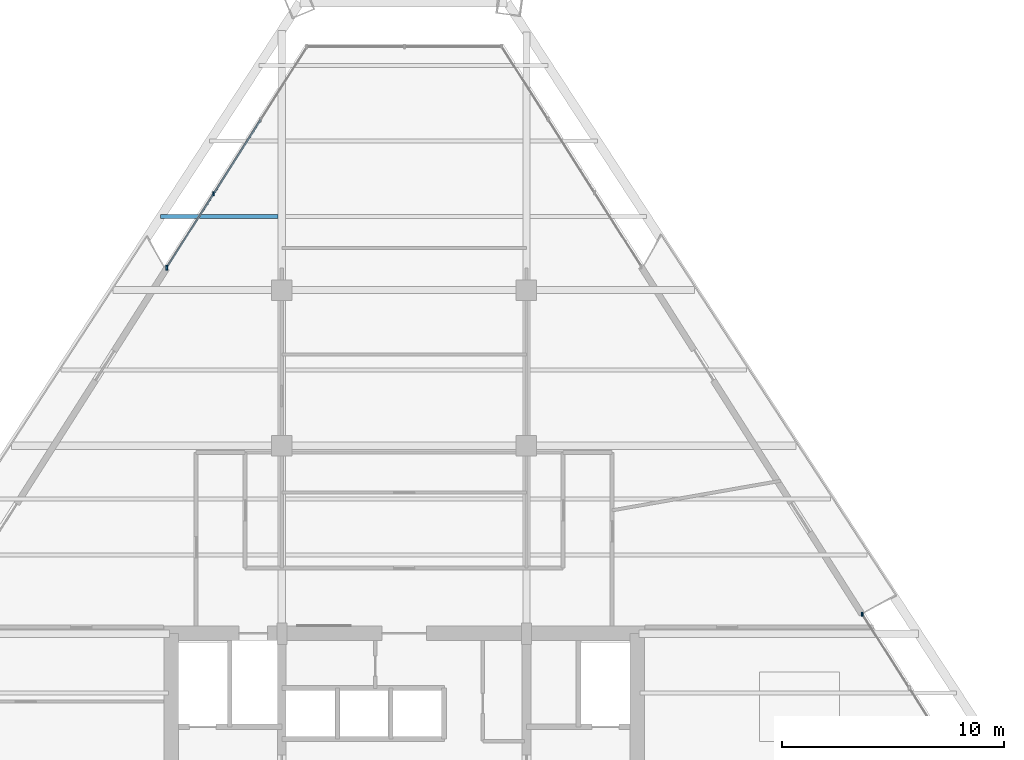
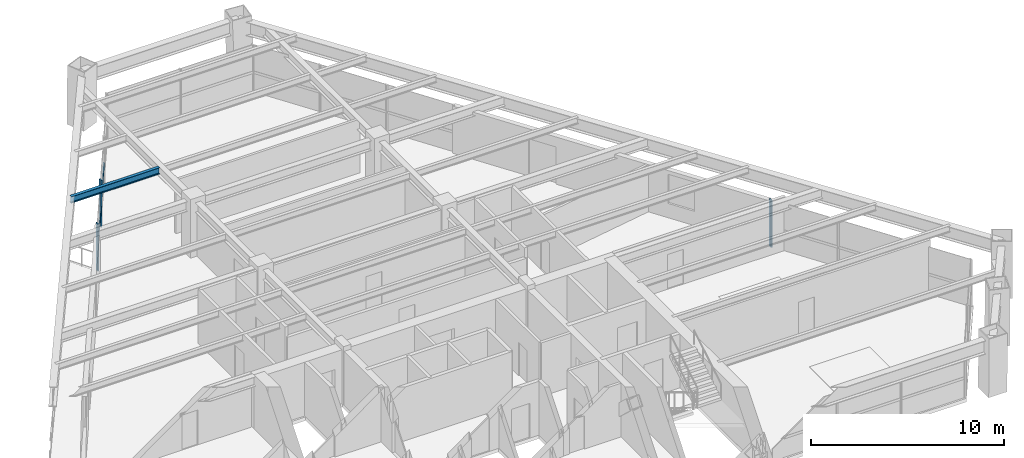
# One storey, part 8 of 15: 7 members, 1 beam, 2 elements without a shape of their own.
"""IFC4 building model written with IfcOpenShell, lengths in metres."""

from ifc_helpers import new_model, si_unit, direction, frame, origin, origin_2d, place, context, subcontext, project, spatial, rectangle, i_section, extrude, source, transform, mapped, material, material_profile, profile_set, type_object, element, aggregate, save


model = new_model("IFC4")

# Units and contexts
model_context = context("Model", 3, precision=1e-05, world=origin(), true_north=direction((0.0, 1.0)))
body_context = subcontext(model_context, "Body", "Model", "MODEL_VIEW")
ifc_project = project(units=[si_unit("LENGTHUNIT", "METRE"), si_unit("AREAUNIT", "SQUARE_METRE"), si_unit("VOLUMEUNIT", "CUBIC_METRE"), si_unit("PLANEANGLEUNIT", "RADIAN"), si_unit("MASSUNIT", "GRAM", prefix="KILO")], contexts=[model_context])

# Site, building, storey
site_placement = place(None, origin())
site = spatial("IfcSite", under=ifc_project, at=site_placement, CompositionType="ELEMENT")
building_placement = place(site_placement, origin())
building = spatial("IfcBuilding", under=site, at=building_placement, Name="Varnakhor Terracotta Tower", CompositionType="ELEMENT")
storey_placement = place(building_placement, frame((0.0, 0.0, 162.60009765625)))
storey = spatial("IfcBuildingStorey", under=building, at=storey_placement, Name="L41", CompositionType="ELEMENT", Elevation=162.60009765625)

# Beam
ifc_material_1 = material(Name="Steel S355", Category="steel")
ifc_material_profile_1 = material_profile(ifc_material_1, i_section(OverallWidth=0.179931640625, OverallDepth=0.4130859375, WebThickness=0.009765625, FlangeThickness=0.01611328125, FilletRadius=0.01806640625, at=origin_2d()), Name="W16X50")
ifc_profile_set_1 = profile_set([ifc_material_profile_1], Name="Steel S355")
beam_type = type_object("IfcBeamType", Name="JST-W16X50", PredefinedType="JOIST", material=ifc_profile_set_1)
shared_shape_1 = source(origin(), body_context, "Body", "SweptSolid", [
    extrude(i_section(OverallWidth=0.179931640625, OverallDepth=0.4130859375, WebThickness=0.009765625, FlangeThickness=0.01611328125, FilletRadius=0.01806640625, at=origin_2d()), origin(), (0.0, 0.0, 1.0), 5.28955078125),
])
beam_placement = place(storey_placement, frame((-10.947998046875, 34.800048828125, 3.193359375), z_axis=(1.0, 0.0, 0.0), x_axis=(0.0, 1.0, 0.0)))
element("IfcBeam", 1, at=beam_placement, inside=storey, type_object=beam_type, Name="L41 Composite Floor Joist 7-1", PredefinedType="JOIST", context=body_context, shape_type="MappedRepresentation", body=[
    mapped(shared_shape_1, transform((0.0, 0.0, 0.0), scale=1.0)),
])

# Curtain wall, members
ifc_material_2 = material(Name="Anodised Aluminium Curtain Wall System", Category="aluminium")
curtain_wall_type = type_object("IfcCurtainWallType", Name="CW-SYS-MID-OFFICE", PredefinedType="NOTDEFINED", material=ifc_material_2)
curtain_wall_1_placement = place(storey_placement, origin())
curtain_wall_1 = element("IfcCurtainWall", 2, at=curtain_wall_1_placement, inside=storey, type_object=curtain_wall_type, Name="L41 W Facet Curtain Wall 2", PredefinedType="NOTDEFINED")
ifc_material_3 = material(Name="Anodised Aluminium 6063-T6", Category="aluminium")
ifc_material_profile_2 = material_profile(ifc_material_3, rectangle(XDim=0.070068359375, YDim=0.175048828125, at=origin_2d()), Name="ALU MULLION 70x175")
ifc_profile_set_2 = profile_set([ifc_material_profile_2], Name="Anodised Aluminium 6063-T6")
member_type_1 = type_object("IfcMemberType", Name="CWM-03", PredefinedType="MULLION", material=ifc_profile_set_2)
shared_shape_2 = source(origin(), body_context, "Body", "SweptSolid", [
    extrude(rectangle(XDim=0.070068359375, YDim=0.175048828125, at=origin_2d()), origin(), (0.0, 0.0, 1.0), 2.97998046875),
])
member_1_placement = place(storey_placement, frame((-10.6708984375, 32.520751953125, 0.0), z_axis=(0.0, 0.0, 1.0), x_axis=(1.0, 0.0, 0.0)))
member_1 = element("IfcMember", 3, at=member_1_placement, type_object=member_type_1, Name="L41 W Facet Curtain Wall 2 Mullion 1", PredefinedType="MULLION", context=body_context, shape_type="MappedRepresentation", body=[
    mapped(shared_shape_2, transform((0.0, 0.0, 0.0), scale=1.0)),
])
member_2_placement = place(storey_placement, frame((-8.56005859375, 35.83837890625, 0.0), z_axis=(0.0, 0.0, 1.0), x_axis=(1.0, 0.0, 0.0)))
member_2 = element("IfcMember", 4, at=member_2_placement, type_object=member_type_1, Name="L41 W Facet Curtain Wall 2 Mullion 2", PredefinedType="MULLION", context=body_context, shape_type="MappedRepresentation", body=[
    mapped(shared_shape_2, transform((0.0, 0.0, 0.0), scale=1.0)),
])
member_3_placement = place(storey_placement, frame((-10.670166015625, 32.48486328125, 0.0), z_axis=(0.0, 0.0, 1.0), x_axis=(1.0, 0.0, 0.0)))
member_3 = element("IfcMember", 5, at=member_3_placement, type_object=member_type_1, Name="L41 W Loggia Jamb Closure Mullion 2", PredefinedType="MULLION", context=body_context, shape_type="MappedRepresentation", body=[
    mapped(shared_shape_2, transform((0.0, 0.0, 0.0), scale=1.0)),
])

curtain_wall_2_placement = place(storey_placement, origin())
curtain_wall_2 = element("IfcCurtainWall", 6, at=curtain_wall_2_placement, inside=storey, type_object=curtain_wall_type, Name="L41 E Facet Curtain Wall 2", PredefinedType="NOTDEFINED")
member_4_placement = place(storey_placement, frame((20.6142578125, 16.916015625, 0.0), z_axis=(0.0, 0.0, 1.0), x_axis=(1.0, 0.0, 0.0)))
member_4 = element("IfcMember", 7, at=member_4_placement, type_object=member_type_1, Name="L41 E Facet Curtain Wall 2 Mullion 1", PredefinedType="MULLION", context=body_context, shape_type="MappedRepresentation", body=[
    mapped(shared_shape_2, transform((0.0, 0.0, 0.0), scale=1.0)),
])
member_5_placement = place(storey_placement, frame((20.581298828125, 16.9306640625, 0.0), z_axis=(0.0, 0.0, 1.0), x_axis=(1.0, 0.0, 0.0)))
member_5 = element("IfcMember", 8, at=member_5_placement, type_object=member_type_1, Name="L41 E Loggia Jamb Closure Mullion 2", PredefinedType="MULLION", context=body_context, shape_type="MappedRepresentation", body=[
    mapped(shared_shape_2, transform((0.0, 0.0, 0.0), scale=1.0)),
])
aggregate(curtain_wall_2, [member_4, member_5])

# Member
ifc_material_profile_3 = material_profile(ifc_material_3, rectangle(XDim=0.070068359375, YDim=0.155029296875, at=origin_2d()), Name="ALU TRANSOM 70x155")
ifc_profile_set_3 = profile_set([ifc_material_profile_3], Name="Anodised Aluminium 6063-T6")
member_type_2 = type_object("IfcMemberType", Name="CWT-03", PredefinedType="USERDEFINED", material=ifc_profile_set_3)
shared_shape_3 = source(origin(), body_context, "Body", "SweptSolid", [
    extrude(rectangle(XDim=0.070068359375, YDim=0.155029296875, at=origin_2d()), origin(), (0.0, 0.0, 1.0), 3.93212890625),
])
member_6_placement = place(storey_placement, frame((-10.6708984375, 32.520751953125, 1.25146484375), z_axis=(0.536807194353, 0.84370494611, 0.0), x_axis=(-0.84370494611, 0.536807194353, 0.0)))
member_6 = element("IfcMember", 9, at=member_6_placement, type_object=member_type_2, Name="L41 W Facet Curtain Wall 2 Transom 1", ObjectType="TRANSOM", PredefinedType="USERDEFINED", context=body_context, shape_type="MappedRepresentation", body=[
    mapped(shared_shape_3, transform((0.0, 0.0, 0.0), scale=1.0)),
])

member_7_placement = place(storey_placement, frame((-8.56005859375, 35.83837890625, 1.25146484375), z_axis=(0.536807194353, 0.84370494611, 0.0), x_axis=(-0.84370494611, 0.536807194353, 0.0)))
member_7 = element("IfcMember", 10, at=member_7_placement, type_object=member_type_2, Name="L41 W Facet Curtain Wall 2 Transom 2", ObjectType="TRANSOM", PredefinedType="USERDEFINED", context=body_context, shape_type="MappedRepresentation", body=[
    mapped(shared_shape_3, transform((0.0, 0.0, 0.0), scale=1.0)),
])

aggregate(curtain_wall_1, [member_1, member_6, member_2, member_7, member_3])

save(model, "model.ifc")
